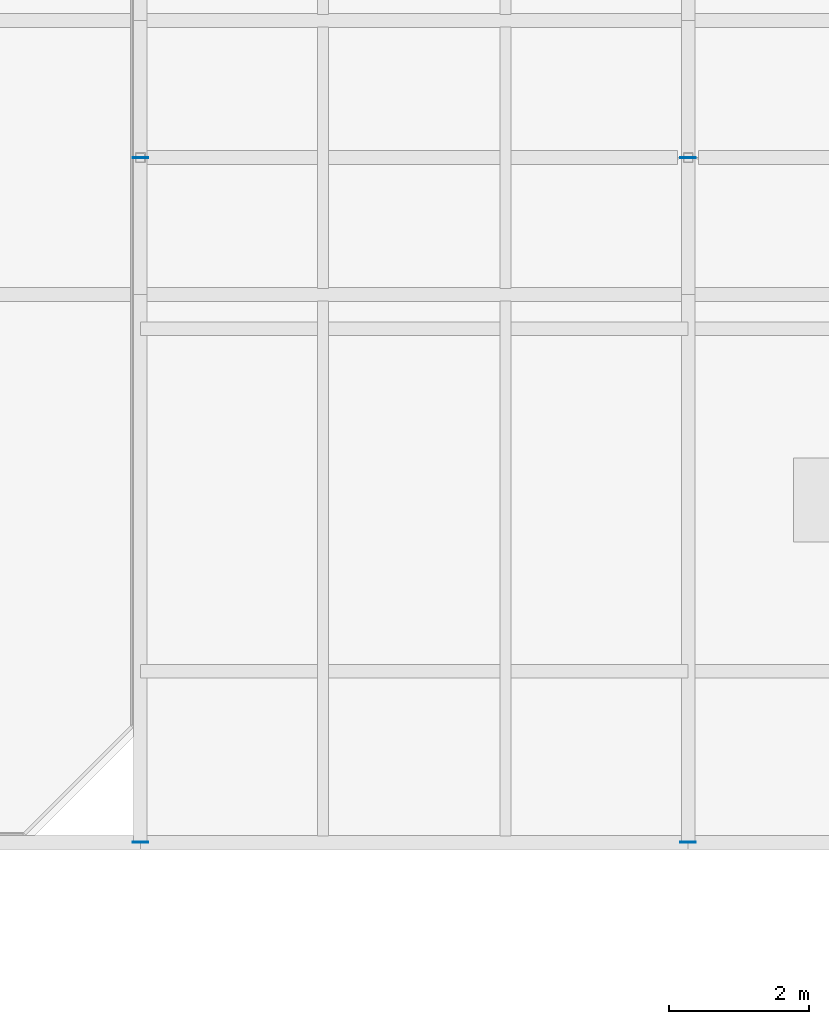
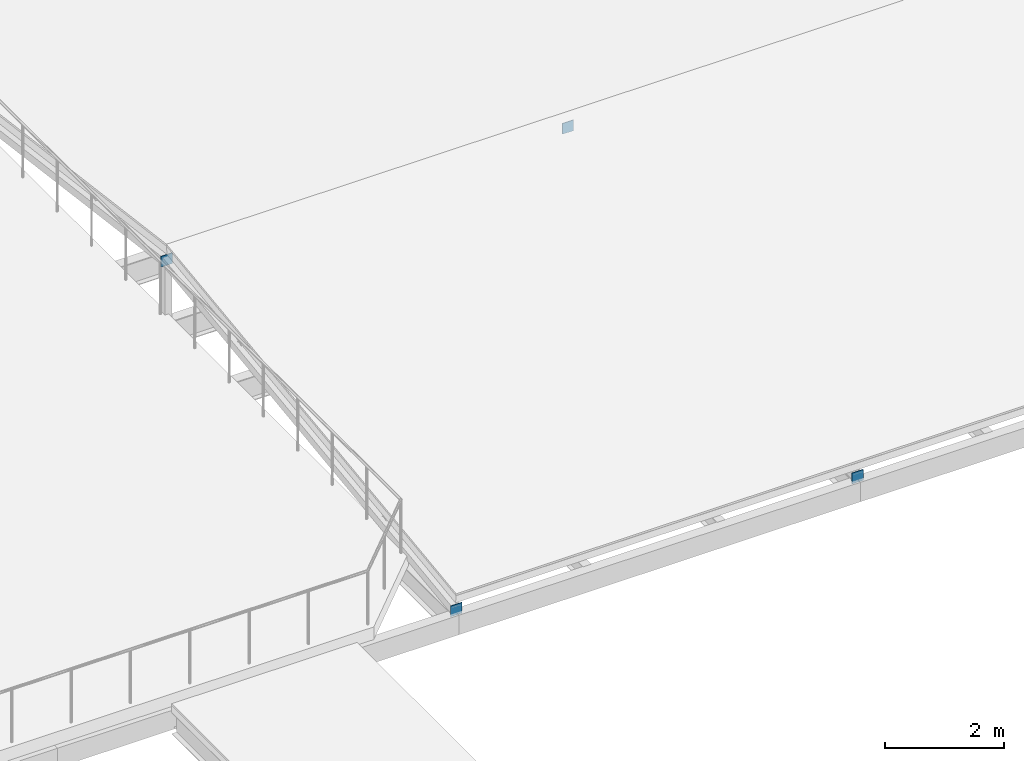
# One storey, part 87 of 119: 4 plates.
"""IFC4 building model written with IfcOpenShell, lengths in metres."""

from ifc_helpers import new_model, si_unit, direction, frame, origin, origin_2d, place, context, subcontext, project, spatial, rectangle, extrude, material, layer, layer_set, type_object, element, save


model = new_model("IFC4")

# Units and contexts
model_context = context("Model", 3, precision=1e-05, world=origin(), true_north=direction((0.0, 1.0)))
body_context = subcontext(model_context, "Body", "Model", "MODEL_VIEW")
ifc_project = project(units=[si_unit("LENGTHUNIT", "METRE"), si_unit("AREAUNIT", "SQUARE_METRE"), si_unit("VOLUMEUNIT", "CUBIC_METRE"), si_unit("PLANEANGLEUNIT", "RADIAN"), si_unit("MASSUNIT", "GRAM", prefix="KILO")], contexts=[model_context])

# Site, building, storey
site_placement = place(None, origin())
site = spatial("IfcSite", under=ifc_project, at=site_placement, CompositionType="ELEMENT")
building_placement = place(site_placement, origin())
building = spatial("IfcBuilding", under=site, at=building_placement, Name="Celorna Specialist Clinic", CompositionType="ELEMENT")
storey_placement = place(building_placement, frame((0.0, 0.0, 9.60009765625)))
storey = spatial("IfcBuildingStorey", under=building, at=storey_placement, Name="L02", CompositionType="ELEMENT", Elevation=9.60009765625)

# Plates
ifc_material = material(Name="Steel S355", Category="steel")
ifc_layer = layer(ifc_material, 0.01611328125, Name="Steel S355")
ifc_layer_set = layer_set([ifc_layer], Name="Steel S355")
plate_type = type_object("IfcPlateType", Name="EP-04", PredefinedType="SHEET", material=ifc_layer_set)
for number, where, z_axis, x_axis, name in (
    (1, (148.199951171875, 96.5, -0.31201171875), (0.0, 0.0, 1.0), (1.0, 0.0, 0.0), "Rafter chord cap plate ROOF-V4-EAST-S"),
    (2, (148.199951171875, 106.25, 0.9580078125), (0.0, 0.0, 1.0), (1.0, 0.0, 0.0), "Rafter chord cap plate ROOF-V4-EAST-S"),
    (3, (156.0, 96.5, -0.31201171875), (0.0, 0.0, 1.0), (1.0, 0.0, 0.0), "Rafter chord cap plate ROOF-V4-EAST-S"),
    (4, (156.0, 106.25, 0.9580078125), (0.0, 0.0, 1.0), (1.0, 0.0, 0.0), "Rafter chord cap plate ROOF-V4-EAST-S"),
):
    element("IfcPlate", number, at=place(storey_placement, frame(where, z_axis=z_axis, x_axis=x_axis)), inside=storey, type_object=plate_type, Name=name, PredefinedType="SHEET", context=body_context, shape_type="SweptSolid", body=[
        extrude(rectangle(XDim=0.219970703125, YDim=0.013916015625, at=origin_2d()), origin(), (0.0, 0.0, 1.0), 0.219970703125),
    ])

save(model, "model.ifc")
